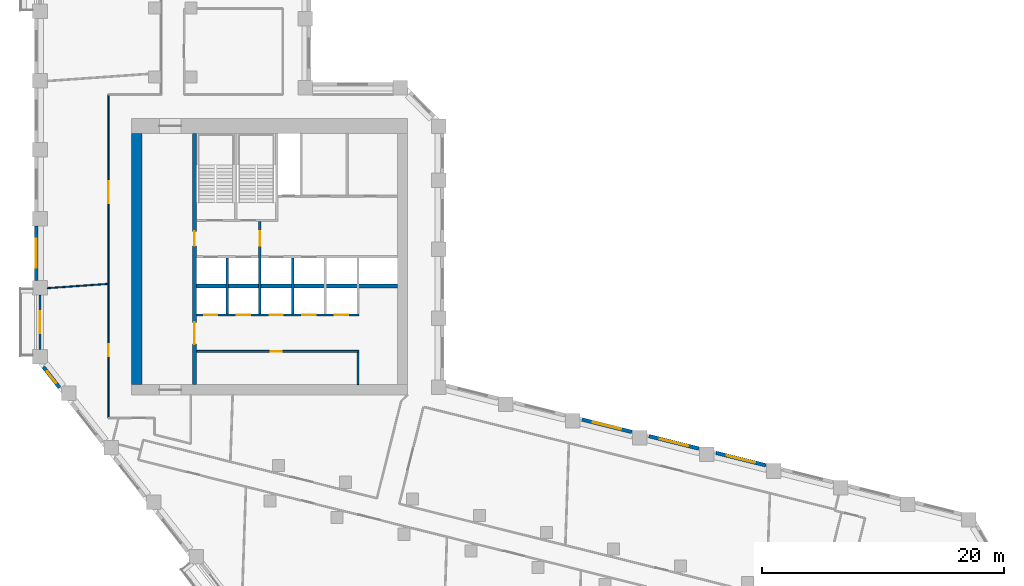
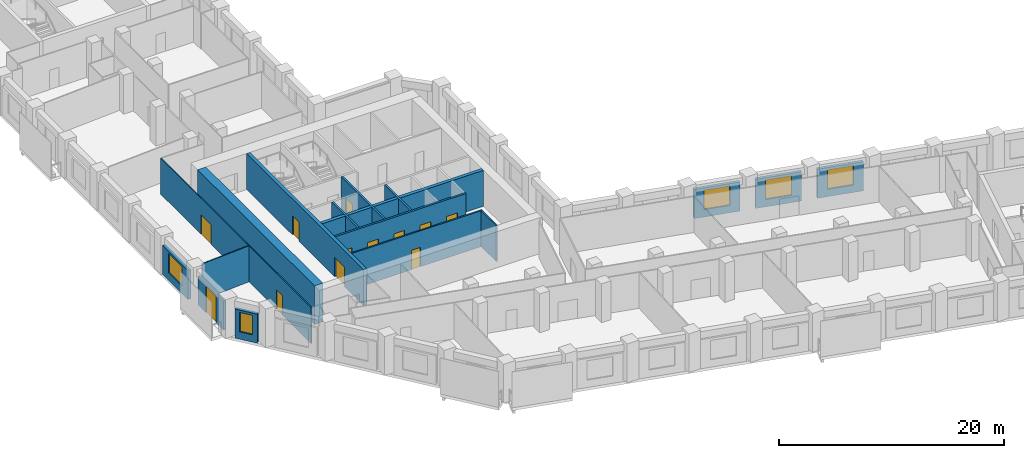
# One storey, part 4 of 10: 17 walls, 12 doors, 5 windows, 17 openings.
"""IFC4 building model written with IfcOpenShell, lengths in metres."""

from ifc_helpers import new_model, si_unit, direction, frame, frame_2d, origin, place, context, subcontext, project, spatial, rectangle, extrude, material, layer, layer_set, type_object, element, fill, save


model = new_model("IFC4")

# Units and contexts
model_context = context("Model", 3, precision=1e-05, world=origin(), true_north=direction((0.0, 1.0)))
body_context = subcontext(model_context, "Body", "Model", "MODEL_VIEW")
ifc_project = project(units=[si_unit("LENGTHUNIT", "METRE"), si_unit("AREAUNIT", "SQUARE_METRE"), si_unit("VOLUMEUNIT", "CUBIC_METRE"), si_unit("PLANEANGLEUNIT", "RADIAN"), si_unit("MASSUNIT", "GRAM", prefix="KILO")], contexts=[model_context])

# Site, building, storey
site_placement = place(None, origin())
site = spatial("IfcSite", under=ifc_project, at=site_placement, CompositionType="ELEMENT")
building_placement = place(site_placement, origin())
building = spatial("IfcBuilding", under=site, at=building_placement, Name="Meshkara Civic Tower", CompositionType="ELEMENT")
storey_placement = place(building_placement, frame((0.0, 0.0, 165.60009765625)))
storey = spatial("IfcBuildingStorey", under=building, at=storey_placement, Name="L37", CompositionType="ELEMENT", Elevation=165.60009765625)

# Wall, opening, door
ifc_material_1 = material(Name="Blockwork", Category="masonry")
ifc_layer_1 = layer(ifc_material_1, 0.14990234375)
ifc_layer_set_1 = layer_set([ifc_layer_1], Name="Core partition 150")
wall_type_1 = type_object("IfcWallType", Name="Core partition 150", PredefinedType="PARTITIONING", material=ifc_layer_set_1)
wall_1_placement = place(storey_placement, frame((13.3701171875, 17.699951171875, 0.0), z_axis=(0.0, 0.0, 1.0), x_axis=(1.0, 0.0, 0.0)))
wall_1 = element("IfcWall", 1, at=wall_1_placement, inside=storey, type_object=wall_type_1, Name="L37-C005", PredefinedType="PARTITIONING", context=body_context, shape_type="SweptSolid", body=[
    extrude(rectangle(XDim=13.40478515625, YDim=0.14990234375, at=frame_2d((6.702392578125, 0.0))), origin(), (0.0, 0.0, 1.0), 3.89990234375),
])
opening_1_placement = place(wall_1_placement, frame((6.1298828125, 0.0, 0.0)))
opening_1 = element("IfcOpeningElement", 2, at=opening_1_placement, cuts=wall_1, Name="Opening L37-K010", PredefinedType="OPENING", context=body_context, shape_type="SweptSolid", body=[
    extrude(rectangle(XDim=0.89990234375, YDim=2.10009765625, at=frame_2d((0.449951171875, 1.050048828125))), frame((0.0, 0.0849609375, 0.0), z_axis=(0.0, -1.0, 0.0), x_axis=(1.0, 0.0, 0.0)), (0.0, 0.0, 1.0), 0.169921875),
])
ifc_material_2 = material(Name="Timber door leaf in steel frame", Category="steel")
door_type_1 = type_object("IfcDoorType", Name="Core room door 900", OperationType="SINGLE_SWING_LEFT", PredefinedType="DOOR", material=ifc_material_2)
door_1_placement = place(opening_1_placement, origin())
door_1 = element("IfcDoor", 3, at=door_1_placement, inside=storey, type_object=door_type_1, Name="L37-K010", OperationType="SINGLE_SWING_LEFT", OverallHeight=2.10009765625, OverallWidth=0.89990234375, PredefinedType="DOOR", context=body_context, shape_type="SweptSolid", body=[
    extrude(rectangle(XDim=0.89990234375, YDim=2.10009765625, at=frame_2d((0.449951171875, 1.050048828125))), frame((0.0, 0.02490234375, 0.0), z_axis=(0.0, -1.0, 0.0), x_axis=(1.0, 0.0, 0.0)), (0.0, 0.0, 1.0), 0.050048828125),
])
fill(opening_1, door_1)

# Walls
wall_2_placement = place(storey_placement, frame((26.699951171875, 14.949951171875, 0.0), z_axis=(0.0, 0.0, 1.0), x_axis=(0.0, 1.0, 0.0)))
element("IfcWall", 4, at=wall_2_placement, inside=storey, type_object=wall_type_1, Name="L37-C020", PredefinedType="PARTITIONING", context=body_context, shape_type="SweptSolid", body=[
    extrude(rectangle(XDim=2.675048828125, YDim=0.14990234375, at=frame_2d((1.33740234375, 0.0))), origin(), (0.0, 0.0, 1.0), 3.89990234375),
])
ifc_material_3 = material(Name="Concrete C70", Category="concrete")
ifc_layer_2 = layer(ifc_material_3, 0.85009765625)
ifc_layer_set_2 = layer_set([ifc_layer_2], Name="Core ring wall 850 C70")
wall_type_2 = type_object("IfcWallType", Name="Core ring wall 850 C70", PredefinedType="SHEAR", material=ifc_layer_set_2)
wall_3_placement = place(storey_placement, frame((8.425048828125, 14.949951171875, -0.300048828125), z_axis=(0.0, 0.0, 1.0), x_axis=(0.0, 1.0, 0.0)))
element("IfcWall", 5, at=wall_3_placement, inside=storey, type_object=wall_type_2, Name="L37-C003", PredefinedType="SHEAR", context=body_context, shape_type="SweptSolid", body=[
    extrude(rectangle(XDim=20.75, YDim=0.85009765625, at=frame_2d((10.375, 0.0))), origin(), (0.0, 0.0, 1.0), 4.199951171875),
])
ifc_material_4 = material(Name="Concrete C70", Category="concrete")
ifc_layer_3 = layer(ifc_material_4, 0.340087890625)
ifc_layer_set_3 = layer_set([ifc_layer_3], Name="Core shear wall 340 C70")
wall_type_3 = type_object("IfcWallType", Name="Core shear wall 340 C70", PredefinedType="SHEAR", material=ifc_layer_set_3)
wall_4_placement = place(storey_placement, frame((13.3701171875, 23.10009765625, 0.0), z_axis=(0.0, 0.0, 1.0), x_axis=(1.0, 0.0, 0.0)))
element("IfcWall", 6, at=wall_4_placement, inside=storey, type_object=wall_type_3, Name="L37-C007", PredefinedType="SHEAR", context=body_context, shape_type="SweptSolid", body=[
    extrude(rectangle(XDim=16.579833984375, YDim=0.340087890625, at=frame_2d((8.2900390625, 0.0))), origin(), (0.0, 0.0, 1.0), 3.89990234375),
])

# Wall, openings, doors
wall_5_placement = place(storey_placement, frame((13.199951171875, 14.949951171875, 0.0), z_axis=(0.0, 0.0, 1.0), x_axis=(0.0, 1.0, 0.0)))
wall_5 = element("IfcWall", 7, at=wall_5_placement, inside=storey, type_object=wall_type_3, Name="L37-C011", PredefinedType="SHEAR", context=body_context, shape_type="SweptSolid", body=[
    extrude(rectangle(XDim=20.75, YDim=0.340087890625, at=frame_2d((10.375, 0.0))), origin(), (0.0, 0.0, 1.0), 3.89990234375),
])
opening_2_placement = place(wall_5_placement, frame((3.35009765625, 0.0, 0.0)))
opening_2 = element("IfcOpeningElement", 8, at=opening_2_placement, cuts=wall_5, Name="Opening L37-K016", PredefinedType="OPENING", context=body_context, shape_type="SweptSolid", body=[
    extrude(rectangle(XDim=1.800048828125, YDim=2.10009765625, at=frame_2d((0.89990234375, 1.050048828125))), frame((0.0, 0.179931640625, 0.0), z_axis=(0.0, -1.0, 0.0), x_axis=(1.0, 0.0, 0.0)), (0.0, 0.0, 1.0), 0.360107421875),
])
opening_3_placement = place(wall_5_placement, frame((11.449951171875, 0.0, 0.0)))
opening_3 = element("IfcOpeningElement", 9, at=opening_3_placement, cuts=wall_5, Name="Opening L37-K017", PredefinedType="OPENING", context=body_context, shape_type="SweptSolid", body=[
    extrude(rectangle(XDim=1.199951171875, YDim=2.10009765625, at=frame_2d((0.60009765625, 1.050048828125))), frame((0.0, 0.179931640625, 0.0), z_axis=(0.0, -1.0, 0.0), x_axis=(1.0, 0.0, 0.0)), (0.0, 0.0, 1.0), 0.360107421875),
])
ifc_material_5 = material(Name="Fire-rated door leaf in steel frame", Category="steel")
door_type_2 = type_object("IfcDoorType", Name="Core double door 1800 EI 60", OperationType="DOUBLE_DOOR_SINGLE_SWING", PredefinedType="DOOR", material=ifc_material_5)
door_2_placement = place(opening_2_placement, origin())
door_2 = element("IfcDoor", 10, at=door_2_placement, inside=storey, type_object=door_type_2, Name="L37-K016", OperationType="DOUBLE_DOOR_SINGLE_SWING", OverallHeight=2.10009765625, OverallWidth=1.800048828125, PredefinedType="DOOR", context=body_context, shape_type="SweptSolid", body=[
    extrude(rectangle(XDim=1.800048828125, YDim=2.10009765625, at=frame_2d((0.89990234375, 1.050048828125))), frame((0.0, 0.02490234375, 0.0), z_axis=(0.0, -1.0, 0.0), x_axis=(1.0, 0.0, 0.0)), (0.0, 0.0, 1.0), 0.050048828125),
])
fill(opening_2, door_2)
ifc_material_6 = material(Name="Fire-rated door leaf in steel frame", Category="steel")
door_type_3 = type_object("IfcDoorType", Name="Fire-fighting lobby door 1200 EI 120", OperationType="SINGLE_SWING_LEFT", PredefinedType="DOOR", material=ifc_material_6)
door_3_placement = place(opening_3_placement, origin())
door_3 = element("IfcDoor", 11, at=door_3_placement, inside=storey, type_object=door_type_3, Name="L37-K017", OperationType="SINGLE_SWING_LEFT", OverallHeight=2.10009765625, OverallWidth=1.199951171875, PredefinedType="DOOR", context=body_context, shape_type="SweptSolid", body=[
    extrude(rectangle(XDim=1.199951171875, YDim=2.10009765625, at=frame_2d((0.60009765625, 1.050048828125))), frame((0.0, 0.02490234375, 0.0), z_axis=(0.0, -1.0, 0.0), x_axis=(1.0, 0.0, 0.0)), (0.0, 0.0, 1.0), 0.050048828125),
])
fill(opening_3, door_3)

ifc_material_7 = material(Name="Corridor wall 100")
ifc_layer_4 = layer(ifc_material_7, 0.10009765625)
ifc_layer_set_4 = layer_set([ifc_layer_4], Name="Corridor wall 100")
wall_type_4 = type_object("IfcWallType", Name="Corridor wall 100", PredefinedType="PARTITIONING", material=ifc_layer_set_4)
wall_6_placement = place(storey_placement, frame((6.10009765625, 38.89990234375, 0.0), z_axis=(0.0, 0.0, 1.0), x_axis=(0.0, -1.0, 0.0)))
wall_6 = element("IfcWall", 12, at=wall_6_placement, inside=storey, type_object=wall_type_4, Name="L37-W005", PredefinedType="PARTITIONING", context=body_context, shape_type="SweptSolid", body=[
    extrude(rectangle(XDim=26.699951171875, YDim=0.10009765625, at=frame_2d((13.35009765625, 0.0))), origin(), (0.0, 0.0, 1.0), 3.89990234375),
])
opening_4_placement = place(wall_6_placement, frame((20.610107421875, 0.0, 0.0)))
opening_4 = element("IfcOpeningElement", 13, at=opening_4_placement, cuts=wall_6, Name="Opening L37-D014", PredefinedType="OPENING", context=body_context, shape_type="SweptSolid", body=[
    extrude(rectangle(XDim=1.0, YDim=2.10009765625, at=frame_2d((0.5, 1.050048828125))), frame((0.0, 0.06005859375, 0.0), z_axis=(0.0, -1.0, 0.0), x_axis=(1.0, 0.0, 0.0)), (0.0, 0.0, 1.0), 0.1201171875),
])
opening_5_placement = place(wall_6_placement, frame((7.179931640625, 0.0, 0.0)))
opening_5 = element("IfcOpeningElement", 14, at=opening_5_placement, cuts=wall_6, Name="Opening L37-D016", PredefinedType="OPENING", context=body_context, shape_type="SweptSolid", body=[
    extrude(rectangle(XDim=1.800048828125, YDim=2.10009765625, at=frame_2d((0.89990234375, 1.050048828125))), frame((0.0, 0.06005859375, 0.0), z_axis=(0.0, -1.0, 0.0), x_axis=(1.0, 0.0, 0.0)), (0.0, 0.0, 1.0), 0.1201171875),
])
ifc_material_8 = material(Name="Door 1000 x 2100")
door_type_4 = type_object("IfcDoorType", Name="Door 1000 x 2100", OperationType="SINGLE_SWING_LEFT", PredefinedType="DOOR", material=ifc_material_8)
door_4_placement = place(opening_4_placement, origin())
door_4 = element("IfcDoor", 15, at=door_4_placement, inside=storey, type_object=door_type_4, Name="L37-D014", OperationType="SINGLE_SWING_RIGHT", OverallHeight=2.10009765625, OverallWidth=1.0, PredefinedType="DOOR", context=body_context, shape_type="SweptSolid", body=[
    extrude(rectangle(XDim=1.0, YDim=2.10009765625, at=frame_2d((0.5, 1.050048828125))), frame((0.0, 0.02490234375, 0.0), z_axis=(0.0, -1.0, 0.0), x_axis=(1.0, 0.0, 0.0)), (0.0, 0.0, 1.0), 0.050048828125),
])
fill(opening_4, door_4)
ifc_material_9 = material(Name="Door pair 1800 x 2100")
door_type_5 = type_object("IfcDoorType", Name="Door pair 1800 x 2100", OperationType="SINGLE_SWING_LEFT", PredefinedType="DOOR", material=ifc_material_9)
door_5_placement = place(opening_5_placement, origin())
door_5 = element("IfcDoor", 16, at=door_5_placement, inside=storey, type_object=door_type_5, Name="L37-D016", OperationType="DOUBLE_DOOR_SINGLE_SWING", OverallHeight=2.10009765625, OverallWidth=1.800048828125, PredefinedType="DOOR", context=body_context, shape_type="SweptSolid", body=[
    extrude(rectangle(XDim=1.800048828125, YDim=2.10009765625, at=frame_2d((0.89990234375, 1.050048828125))), frame((0.0, 0.02490234375, 0.0), z_axis=(0.0, -1.0, 0.0), x_axis=(1.0, 0.0, 0.0)), (0.0, 0.0, 1.0), 0.050048828125),
])
fill(opening_5, door_5)

# Wall, opening, window
ifc_material_10 = material(Name="Insulated infill panel with bronze anodised aluminium cladding", Category="aluminium")
ifc_layer_5 = layer(ifc_material_10, 0.300048828125)
ifc_layer_set_5 = layer_set([ifc_layer_5], Name="EXTERNAL INFILL WALL 300")
wall_type_5 = type_object("IfcWallType", Name="EXTERNAL INFILL WALL 300", PredefinedType="SOLIDWALL", material=ifc_layer_set_5)
wall_7_placement = place(storey_placement, frame((60.3701171875, 8.291015625, 0.0), z_axis=(0.0, 0.0, 1.0), x_axis=(-0.970291164166, 0.241940192487, 0.0)))
wall_7 = element("IfcWall", 17, at=wall_7_placement, inside=storey, type_object=wall_type_5, Name="External wall", PredefinedType="SOLIDWALL", context=body_context, shape_type="SweptSolid", body=[
    extrude(rectangle(XDim=4.245361328125, YDim=0.300048828125, at=frame_2d((2.12255859375, 0.0))), origin(), (0.0, 0.0, 1.0), 3.14990234375),
])
opening_6_placement = place(wall_7_placement, frame((0.922119140625, 0.0, 0.800048828125)))
opening_6 = element("IfcOpeningElement", 18, at=opening_6_placement, cuts=wall_7, Name="Opening W7", PredefinedType="OPENING", context=body_context, shape_type="SweptSolid", body=[
    extrude(rectangle(XDim=2.39990234375, YDim=2.10009765625, at=frame_2d((1.199951171875, 1.050048828125))), frame((0.0, 0.159912109375, 0.0), z_axis=(0.0, -1.0, 0.0), x_axis=(1.0, 0.0, 0.0)), (0.0, 0.0, 1.0), 0.320068359375),
])
ifc_material_11 = material(Name="Tinted double glazing", Category="glass")
window_type_1 = type_object("IfcWindowType", Name="WINDOW 2400x2100", PartitioningType="DOUBLE_PANEL_VERTICAL", PredefinedType="WINDOW", material=ifc_material_11)
window_1_placement = place(opening_6_placement, origin())
window_1 = element("IfcWindow", 19, at=window_1_placement, inside=storey, type_object=window_type_1, Name="Window", OverallHeight=2.10009765625, OverallWidth=2.39990234375, PartitioningType="DOUBLE_PANEL_VERTICAL", PredefinedType="WINDOW", context=body_context, shape_type="SweptSolid", body=[
    extrude(rectangle(XDim=2.39990234375, YDim=2.10009765625, at=frame_2d((1.199951171875, 1.050048828125))), frame((0.0, 0.030029296875, 0.0), z_axis=(0.0, -1.0, 0.0), x_axis=(1.0, 0.0, 0.0)), (0.0, 0.0, 1.0), 0.06005859375),
])
fill(opening_6, window_1)

wall_8_placement = place(storey_placement, frame((54.840087890625, 9.669921875, 0.0), z_axis=(0.0, 0.0, 1.0), x_axis=(-0.97030462482, 0.241886202691, 0.0)))
wall_8 = element("IfcWall", 20, at=wall_8_placement, inside=storey, type_object=wall_type_5, Name="External wall", PredefinedType="SOLIDWALL", context=body_context, shape_type="SweptSolid", body=[
    extrude(rectangle(XDim=4.24609375, YDim=0.300048828125, at=frame_2d((2.123046875, 0.0))), origin(), (0.0, 0.0, 1.0), 3.14990234375),
])
opening_7_placement = place(wall_8_placement, frame((0.923095703125, 0.0, 0.800048828125)))
opening_7 = element("IfcOpeningElement", 21, at=opening_7_placement, cuts=wall_8, Name="Opening W7", PredefinedType="OPENING", context=body_context, shape_type="SweptSolid", body=[
    extrude(rectangle(XDim=2.39990234375, YDim=2.10009765625, at=frame_2d((1.199951171875, 1.050048828125))), frame((0.0, 0.159912109375, 0.0), z_axis=(0.0, -1.0, 0.0), x_axis=(1.0, 0.0, 0.0)), (0.0, 0.0, 1.0), 0.320068359375),
])
window_2_placement = place(opening_7_placement, origin())
window_2 = element("IfcWindow", 22, at=window_2_placement, inside=storey, type_object=window_type_1, Name="Window", OverallHeight=2.10009765625, OverallWidth=2.39990234375, PartitioningType="DOUBLE_PANEL_VERTICAL", PredefinedType="WINDOW", context=body_context, shape_type="SweptSolid", body=[
    extrude(rectangle(XDim=2.39990234375, YDim=2.10009765625, at=frame_2d((1.199951171875, 1.050048828125))), frame((0.0, 0.030029296875, 0.0), z_axis=(0.0, -1.0, 0.0), x_axis=(1.0, 0.0, 0.0)), (0.0, 0.0, 1.0), 0.06005859375),
])
fill(opening_7, window_2)

wall_9_placement = place(storey_placement, frame((49.30908203125, 11.049072265625, 0.0), z_axis=(0.0, 0.0, 1.0), x_axis=(-0.970264129329, 0.242048588793, 0.0)))
wall_9 = element("IfcWall", 23, at=wall_9_placement, inside=storey, type_object=wall_type_5, Name="External wall", PredefinedType="SOLIDWALL", context=body_context, shape_type="SweptSolid", body=[
    extrude(rectangle(XDim=4.246337890625, YDim=0.300048828125, at=frame_2d((2.123046875, 0.0))), origin(), (0.0, 0.0, 1.0), 3.14990234375),
])
opening_8_placement = place(wall_9_placement, frame((0.923095703125, 0.0, 0.800048828125)))
opening_8 = element("IfcOpeningElement", 24, at=opening_8_placement, cuts=wall_9, Name="Opening W7", PredefinedType="OPENING", context=body_context, shape_type="SweptSolid", body=[
    extrude(rectangle(XDim=2.39990234375, YDim=2.10009765625, at=frame_2d((1.199951171875, 1.050048828125))), frame((0.0, 0.159912109375, 0.0), z_axis=(0.0, -1.0, 0.0), x_axis=(1.0, 0.0, 0.0)), (0.0, 0.0, 1.0), 0.320068359375),
])
window_3_placement = place(opening_8_placement, origin())
window_3 = element("IfcWindow", 25, at=window_3_placement, inside=storey, type_object=window_type_1, Name="Window", OverallHeight=2.10009765625, OverallWidth=2.39990234375, PartitioningType="DOUBLE_PANEL_VERTICAL", PredefinedType="WINDOW", context=body_context, shape_type="SweptSolid", body=[
    extrude(rectangle(XDim=2.39990234375, YDim=2.10009765625, at=frame_2d((1.199951171875, 1.050048828125))), frame((0.0, 0.030029296875, 0.0), z_axis=(0.0, -1.0, 0.0), x_axis=(1.0, 0.0, 0.0)), (0.0, 0.0, 1.0), 0.06005859375),
])
fill(opening_8, window_3)

wall_10_placement = place(storey_placement, frame((0.14990234375, 28.054931640625, 0.0), z_axis=(0.0, 0.0, 1.0), x_axis=(0.0, -1.0, 0.0)))
wall_10 = element("IfcWall", 26, at=wall_10_placement, inside=storey, type_object=wall_type_5, Name="External wall", PredefinedType="SOLIDWALL", context=body_context, shape_type="SweptSolid", body=[
    extrude(rectangle(XDim=4.5, YDim=0.300048828125, at=frame_2d((2.25, 0.0))), origin(), (0.0, 0.0, 1.0), 3.14990234375),
])
opening_9_placement = place(wall_10_placement, frame((1.050048828125, 0.0, 0.800048828125)))
opening_9 = element("IfcOpeningElement", 27, at=opening_9_placement, cuts=wall_10, Name="Opening W7", PredefinedType="OPENING", context=body_context, shape_type="SweptSolid", body=[
    extrude(rectangle(XDim=2.39990234375, YDim=2.10009765625, at=frame_2d((1.199951171875, 1.050048828125))), frame((0.0, 0.159912109375, 0.0), z_axis=(0.0, -1.0, 0.0), x_axis=(1.0, 0.0, 0.0)), (0.0, 0.0, 1.0), 0.320068359375),
])
window_4_placement = place(opening_9_placement, origin())
window_4 = element("IfcWindow", 28, at=window_4_placement, inside=storey, type_object=window_type_1, Name="Window", OverallHeight=2.10009765625, OverallWidth=2.39990234375, PartitioningType="DOUBLE_PANEL_VERTICAL", PredefinedType="WINDOW", context=body_context, shape_type="SweptSolid", body=[
    extrude(rectangle(XDim=2.39990234375, YDim=2.10009765625, at=frame_2d((1.199951171875, 1.050048828125))), frame((0.0, 0.030029296875, 0.0), z_axis=(0.0, -1.0, 0.0), x_axis=(1.0, 0.0, 0.0)), (0.0, 0.0, 1.0), 0.06005859375),
])
fill(opening_9, window_4)

wall_11_placement = place(storey_placement, frame((0.73193359375, 16.406982421875, 0.0), z_axis=(0.0, 0.0, 1.0), x_axis=(0.615593496459, -0.788063859797, 0.0)))
wall_11 = element("IfcWall", 29, at=wall_11_placement, inside=storey, type_object=wall_type_5, Name="External wall", PredefinedType="SOLIDWALL", context=body_context, shape_type="SweptSolid", body=[
    extrude(rectangle(XDim=2.156005859375, YDim=0.300048828125, at=frame_2d((1.078125, 0.0))), origin(), (0.0, 0.0, 1.0), 3.14990234375),
])
opening_10_placement = place(wall_11_placement, frame((0.47802734375, 0.0, 0.800048828125)))
opening_10 = element("IfcOpeningElement", 30, at=opening_10_placement, cuts=wall_11, Name="Opening W3", PredefinedType="OPENING", context=body_context, shape_type="SweptSolid", body=[
    extrude(rectangle(XDim=1.199951171875, YDim=2.10009765625, at=frame_2d((0.60009765625, 1.050048828125))), frame((0.0, 0.159912109375, 0.0), z_axis=(0.0, -1.0, 0.0), x_axis=(1.0, 0.0, 0.0)), (0.0, 0.0, 1.0), 0.320068359375),
])
ifc_material_12 = material(Name="Tinted double glazing", Category="glass")
window_type_2 = type_object("IfcWindowType", Name="WINDOW 1200x2100", PartitioningType="SINGLE_PANEL", PredefinedType="WINDOW", material=ifc_material_12)
window_5_placement = place(opening_10_placement, origin())
window_5 = element("IfcWindow", 31, at=window_5_placement, inside=storey, type_object=window_type_2, Name="Window", OverallHeight=2.10009765625, OverallWidth=1.199951171875, PartitioningType="SINGLE_PANEL", PredefinedType="WINDOW", context=body_context, shape_type="SweptSolid", body=[
    extrude(rectangle(XDim=1.199951171875, YDim=2.10009765625, at=frame_2d((0.60009765625, 1.050048828125))), frame((0.0, 0.030029296875, 0.0), z_axis=(0.0, -1.0, 0.0), x_axis=(1.0, 0.0, 0.0)), (0.0, 0.0, 1.0), 0.06005859375),
])
fill(opening_10, window_5)

# Wall, opening, door
ifc_material_13 = material(Name="Insulated infill panel with bronze anodised aluminium cladding", Category="aluminium")
ifc_layer_6 = layer(ifc_material_13, 0.199951171875)
ifc_layer_set_6 = layer_set([ifc_layer_6], Name="LOGGIA BACK WALL 200")
wall_type_6 = type_object("IfcWallType", Name="LOGGIA BACK WALL 200", PredefinedType="SOLIDWALL", material=ifc_layer_set_6)
wall_12_placement = place(storey_placement, frame((0.449951171875, 22.35400390625, 0.0), z_axis=(0.0, 0.0, 1.0), x_axis=(0.0, -1.0, 0.0)))
wall_12 = element("IfcWall", 32, at=wall_12_placement, inside=storey, type_object=wall_type_6, Name="Loggia wall", PredefinedType="SOLIDWALL", context=body_context, shape_type="SweptSolid", body=[
    extrude(rectangle(XDim=4.4990234375, YDim=0.199951171875, at=frame_2d((2.24951171875, 0.0))), origin(), (0.0, 0.0, 1.0), 3.14990234375),
])
opening_11_placement = place(wall_12_placement, frame((1.34912109375, 0.0, 0.0)))
opening_11 = element("IfcOpeningElement", 33, at=opening_11_placement, cuts=wall_12, Name="Opening L37-L002", PredefinedType="OPENING", context=body_context, shape_type="SweptSolid", body=[
    extrude(rectangle(XDim=1.800048828125, YDim=2.89990234375, at=frame_2d((0.89990234375, 1.449951171875))), frame((0.0, 0.10986328125, 0.0), z_axis=(0.0, -1.0, 0.0), x_axis=(1.0, 0.0, 0.0)), (0.0, 0.0, 1.0), 0.219970703125),
])
ifc_material_14 = material(Name="Tinted double glazing", Category="glass")
door_type_6 = type_object("IfcDoorType", Name="LOGGIA DOOR 1800x2900", OperationType="DOUBLE_DOOR_SINGLE_SWING", PredefinedType="DOOR", material=ifc_material_14)
door_6_placement = place(opening_11_placement, origin())
door_6 = element("IfcDoor", 34, at=door_6_placement, inside=storey, type_object=door_type_6, Name="L37-L002", OperationType="DOUBLE_DOOR_SINGLE_SWING", OverallHeight=2.89990234375, OverallWidth=1.800048828125, PredefinedType="DOOR", context=body_context, shape_type="SweptSolid", body=[
    extrude(rectangle(XDim=1.800048828125, YDim=2.89990234375, at=frame_2d((0.89990234375, 1.449951171875))), frame((0.0, 0.02490234375, 0.0), z_axis=(0.0, -1.0, 0.0), x_axis=(1.0, 0.0, 0.0)), (0.0, 0.0, 1.0), 0.050048828125),
])
fill(opening_11, door_6)

# Wall
ifc_material_15 = material(Name="Partition 100")
ifc_layer_7 = layer(ifc_material_15, 0.10009765625)
ifc_layer_set_7 = layer_set([ifc_layer_7], Name="Partition 100")
wall_type_7 = type_object("IfcWallType", Name="Partition 100", PredefinedType="PARTITIONING", material=ifc_layer_set_7)
wall_13_placement = place(storey_placement, frame((6.047119140625, 23.26611328125, 0.0), z_axis=(0.0, 0.0, 1.0), x_axis=(-0.99755475556, -0.069889267123, 0.0)))
element("IfcWall", 35, at=wall_13_placement, inside=storey, type_object=wall_type_7, Name="L37-W041", PredefinedType="PARTITIONING", context=body_context, shape_type="SweptSolid", body=[
    extrude(rectangle(XDim=5.00927734375, YDim=0.10009765625, at=frame_2d((2.504638671875, 0.0))), origin(), (0.0, 0.0, 1.0), 3.89990234375),
])

# Wall, openings, doors
ifc_material_16 = material(Name="Concrete C40/50", Category="concrete")
ifc_layer_8 = layer(ifc_material_16, 0.199951171875)
ifc_layer_set_8 = layer_set([ifc_layer_8], Name="Shaft wall 200 C40/50")
wall_type_8 = type_object("IfcWallType", Name="Shaft wall 200 C40/50", PredefinedType="SOLIDWALL", material=ifc_layer_set_8)
wall_14_placement = place(storey_placement, frame((13.3701171875, 20.699951171875, 0.0), z_axis=(0.0, 0.0, 1.0), x_axis=(1.0, 0.0, 0.0)))
wall_14 = element("IfcWall", 36, at=wall_14_placement, inside=storey, type_object=wall_type_8, Name="L37-C006", PredefinedType="SOLIDWALL", context=body_context, shape_type="SweptSolid", body=[
    extrude(rectangle(XDim=13.429931640625, YDim=0.199951171875, at=frame_2d((6.71484375, 0.0))), origin(), (0.0, 0.0, 1.0), 3.89990234375),
])
opening_12_placement = place(wall_14_placement, frame((0.6298828125, 0.0, 0.0)))
opening_12 = element("IfcOpeningElement", 37, at=opening_12_placement, cuts=wall_14, Name="Opening L37-K001", PredefinedType="OPENING", context=body_context, shape_type="SweptSolid", body=[
    extrude(rectangle(XDim=1.10009765625, YDim=2.10009765625, at=frame_2d((0.550048828125, 1.050048828125))), frame((0.0, 0.10986328125, 0.0), z_axis=(0.0, -1.0, 0.0), x_axis=(1.0, 0.0, 0.0)), (0.0, 0.0, 1.0), 0.219970703125),
])
opening_13_placement = place(wall_14_placement, frame((3.330078125, 0.0, 0.0)))
opening_13 = element("IfcOpeningElement", 38, at=opening_13_placement, cuts=wall_14, Name="Opening L37-K002", PredefinedType="OPENING", context=body_context, shape_type="SweptSolid", body=[
    extrude(rectangle(XDim=1.10009765625, YDim=2.10009765625, at=frame_2d((0.550048828125, 1.050048828125))), frame((0.0, 0.10986328125, 0.0), z_axis=(0.0, -1.0, 0.0), x_axis=(1.0, 0.0, 0.0)), (0.0, 0.0, 1.0), 0.219970703125),
])
opening_14_placement = place(wall_14_placement, frame((6.030029296875, 0.0, 0.0)))
opening_14 = element("IfcOpeningElement", 39, at=opening_14_placement, cuts=wall_14, Name="Opening L37-K003", PredefinedType="OPENING", context=body_context, shape_type="SweptSolid", body=[
    extrude(rectangle(XDim=1.10009765625, YDim=2.10009765625, at=frame_2d((0.550048828125, 1.050048828125))), frame((0.0, 0.10986328125, 0.0), z_axis=(0.0, -1.0, 0.0), x_axis=(1.0, 0.0, 0.0)), (0.0, 0.0, 1.0), 0.219970703125),
])
opening_15_placement = place(wall_14_placement, frame((8.72998046875, 0.0, 0.0)))
opening_15 = element("IfcOpeningElement", 40, at=opening_15_placement, cuts=wall_14, Name="Opening L37-K004", PredefinedType="OPENING", context=body_context, shape_type="SweptSolid", body=[
    extrude(rectangle(XDim=1.10009765625, YDim=2.10009765625, at=frame_2d((0.550048828125, 1.050048828125))), frame((0.0, 0.10986328125, 0.0), z_axis=(0.0, -1.0, 0.0), x_axis=(1.0, 0.0, 0.0)), (0.0, 0.0, 1.0), 0.219970703125),
])
opening_16_placement = place(wall_14_placement, frame((11.429931640625, 0.0, 0.0)))
opening_16 = element("IfcOpeningElement", 41, at=opening_16_placement, cuts=wall_14, Name="Opening L37-K005", PredefinedType="OPENING", context=body_context, shape_type="SweptSolid", body=[
    extrude(rectangle(XDim=1.10009765625, YDim=2.10009765625, at=frame_2d((0.550048828125, 1.050048828125))), frame((0.0, 0.10986328125, 0.0), z_axis=(0.0, -1.0, 0.0), x_axis=(1.0, 0.0, 0.0)), (0.0, 0.0, 1.0), 0.219970703125),
])
ifc_material_17 = material(Name="Stainless steel landing door", Category="steel")
door_type_7 = type_object("IfcDoorType", Name="Lift landing door 1100", OperationType="SLIDING_TO_LEFT", PredefinedType="DOOR", material=ifc_material_17)
door_7_placement = place(opening_12_placement, origin())
door_7 = element("IfcDoor", 42, at=door_7_placement, inside=storey, type_object=door_type_7, Name="L37-K001", OperationType="SLIDING_TO_LEFT", OverallHeight=2.10009765625, OverallWidth=1.10009765625, PredefinedType="DOOR", context=body_context, shape_type="SweptSolid", body=[
    extrude(rectangle(XDim=1.10009765625, YDim=2.10009765625, at=frame_2d((0.550048828125, 1.050048828125))), frame((0.0, 0.02490234375, 0.0), z_axis=(0.0, -1.0, 0.0), x_axis=(1.0, 0.0, 0.0)), (0.0, 0.0, 1.0), 0.050048828125),
])
fill(opening_12, door_7)
door_8_placement = place(opening_13_placement, origin())
door_8 = element("IfcDoor", 43, at=door_8_placement, inside=storey, type_object=door_type_7, Name="L37-K002", OperationType="SLIDING_TO_LEFT", OverallHeight=2.10009765625, OverallWidth=1.10009765625, PredefinedType="DOOR", context=body_context, shape_type="SweptSolid", body=[
    extrude(rectangle(XDim=1.10009765625, YDim=2.10009765625, at=frame_2d((0.550048828125, 1.050048828125))), frame((0.0, 0.02490234375, 0.0), z_axis=(0.0, -1.0, 0.0), x_axis=(1.0, 0.0, 0.0)), (0.0, 0.0, 1.0), 0.050048828125),
])
fill(opening_13, door_8)
door_9_placement = place(opening_14_placement, origin())
door_9 = element("IfcDoor", 44, at=door_9_placement, inside=storey, type_object=door_type_7, Name="L37-K003", OperationType="SLIDING_TO_LEFT", OverallHeight=2.10009765625, OverallWidth=1.10009765625, PredefinedType="DOOR", context=body_context, shape_type="SweptSolid", body=[
    extrude(rectangle(XDim=1.10009765625, YDim=2.10009765625, at=frame_2d((0.550048828125, 1.050048828125))), frame((0.0, 0.02490234375, 0.0), z_axis=(0.0, -1.0, 0.0), x_axis=(1.0, 0.0, 0.0)), (0.0, 0.0, 1.0), 0.050048828125),
])
fill(opening_14, door_9)
door_10_placement = place(opening_15_placement, origin())
door_10 = element("IfcDoor", 45, at=door_10_placement, inside=storey, type_object=door_type_7, Name="L37-K004", OperationType="SLIDING_TO_LEFT", OverallHeight=2.10009765625, OverallWidth=1.10009765625, PredefinedType="DOOR", context=body_context, shape_type="SweptSolid", body=[
    extrude(rectangle(XDim=1.10009765625, YDim=2.10009765625, at=frame_2d((0.550048828125, 1.050048828125))), frame((0.0, 0.02490234375, 0.0), z_axis=(0.0, -1.0, 0.0), x_axis=(1.0, 0.0, 0.0)), (0.0, 0.0, 1.0), 0.050048828125),
])
fill(opening_15, door_10)
door_11_placement = place(opening_16_placement, origin())
door_11 = element("IfcDoor", 46, at=door_11_placement, inside=storey, type_object=door_type_7, Name="L37-K005", OperationType="SLIDING_TO_LEFT", OverallHeight=2.10009765625, OverallWidth=1.10009765625, PredefinedType="DOOR", context=body_context, shape_type="SweptSolid", body=[
    extrude(rectangle(XDim=1.10009765625, YDim=2.10009765625, at=frame_2d((0.550048828125, 1.050048828125))), frame((0.0, 0.02490234375, 0.0), z_axis=(0.0, -1.0, 0.0), x_axis=(1.0, 0.0, 0.0)), (0.0, 0.0, 1.0), 0.050048828125),
])
fill(opening_16, door_11)

# Wall
wall_15_placement = place(storey_placement, frame((15.89990234375, 20.800048828125, 0.0), z_axis=(0.0, 0.0, 1.0), x_axis=(0.0, 1.0, 0.0)))
element("IfcWall", 47, at=wall_15_placement, inside=storey, type_object=wall_type_8, Name="L37-C012", PredefinedType="SOLIDWALL", context=body_context, shape_type="SweptSolid", body=[
    extrude(rectangle(XDim=4.599853515625, YDim=0.199951171875, at=frame_2d((2.2998046875, 0.0))), origin(), (0.0, 0.0, 1.0), 3.89990234375),
])

# Wall, opening, door
wall_16_placement = place(storey_placement, frame((18.60009765625, 20.800048828125, 0.0), z_axis=(0.0, 0.0, 1.0), x_axis=(0.0, 1.0, 0.0)))
wall_16 = element("IfcWall", 48, at=wall_16_placement, inside=storey, type_object=wall_type_8, Name="L37-C014", PredefinedType="SOLIDWALL", context=body_context, shape_type="SweptSolid", body=[
    extrude(rectangle(XDim=7.599853515625, YDim=0.199951171875, at=frame_2d((3.7998046875, 0.0))), origin(), (0.0, 0.0, 1.0), 3.89990234375),
])
opening_17_placement = place(wall_16_placement, frame((5.60009765625, 0.0, 0.0)))
opening_17 = element("IfcOpeningElement", 49, at=opening_17_placement, cuts=wall_16, Name="Opening L37-K018", PredefinedType="OPENING", context=body_context, shape_type="SweptSolid", body=[
    extrude(rectangle(XDim=1.199951171875, YDim=2.10009765625, at=frame_2d((0.60009765625, 1.050048828125))), frame((0.0, 0.10986328125, 0.0), z_axis=(0.0, -1.0, 0.0), x_axis=(1.0, 0.0, 0.0)), (0.0, 0.0, 1.0), 0.219970703125),
])
door_12_placement = place(opening_17_placement, origin())
door_12 = element("IfcDoor", 50, at=door_12_placement, inside=storey, type_object=door_type_3, Name="L37-K018", OperationType="SINGLE_SWING_RIGHT", OverallHeight=2.10009765625, OverallWidth=1.199951171875, PredefinedType="DOOR", context=body_context, shape_type="SweptSolid", body=[
    extrude(rectangle(XDim=1.199951171875, YDim=2.10009765625, at=frame_2d((0.60009765625, 1.050048828125))), frame((0.0, 0.02490234375, 0.0), z_axis=(0.0, -1.0, 0.0), x_axis=(1.0, 0.0, 0.0)), (0.0, 0.0, 1.0), 0.050048828125),
])
fill(opening_17, door_12)

# Wall
wall_17_placement = place(storey_placement, frame((21.300048828125, 20.800048828125, 0.0), z_axis=(0.0, 0.0, 1.0), x_axis=(0.0, 1.0, 0.0)))
element("IfcWall", 51, at=wall_17_placement, inside=storey, type_object=wall_type_8, Name="L37-C016", PredefinedType="SOLIDWALL", context=body_context, shape_type="SweptSolid", body=[
    extrude(rectangle(XDim=4.599853515625, YDim=0.199951171875, at=frame_2d((2.2998046875, 0.0))), origin(), (0.0, 0.0, 1.0), 3.89990234375),
])

save(model, "model.ifc")
